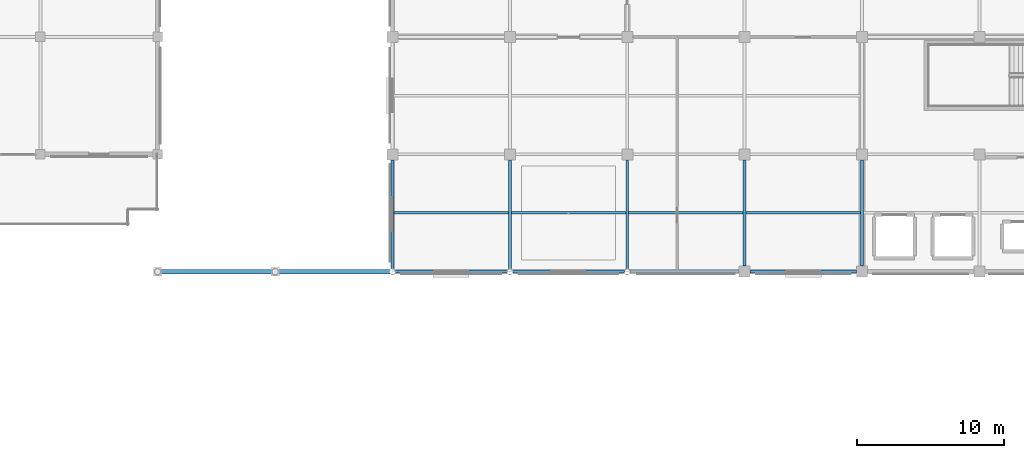
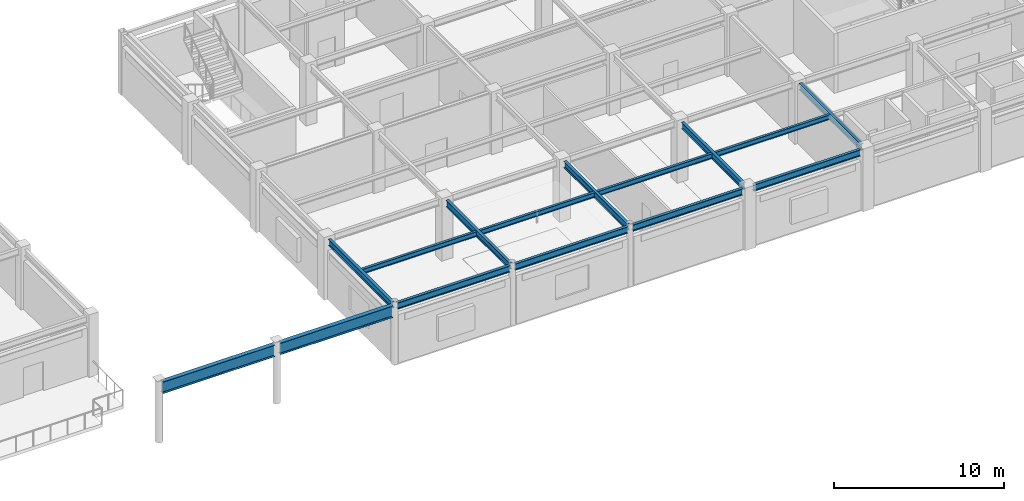
# One storey, part 52 of 78: 15 beams.
"""IFC4 building model written with IfcOpenShell, lengths in metres."""

from ifc_helpers import new_model, si_unit, direction, frame, origin, origin_2d, place, context, subcontext, project, spatial, i_section, extrude, material, material_profile, profile_set, type_object, element, save


model = new_model("IFC4")

# Units and contexts
model_context = context("Model", 3, precision=1e-05, world=origin(), true_north=direction((0.0, 1.0)))
body_context = subcontext(model_context, "Body", "Model", "MODEL_VIEW")
ifc_project = project(units=[si_unit("LENGTHUNIT", "METRE"), si_unit("AREAUNIT", "SQUARE_METRE"), si_unit("VOLUMEUNIT", "CUBIC_METRE"), si_unit("PLANEANGLEUNIT", "RADIAN"), si_unit("MASSUNIT", "GRAM", prefix="KILO")], contexts=[model_context])

# Site, building, storey
site_placement = place(None, origin())
site = spatial("IfcSite", under=ifc_project, at=site_placement, CompositionType="ELEMENT")
building_placement = place(site_placement, origin())
building = spatial("IfcBuilding", under=site, at=building_placement, Name="Solmirada Galleria", CompositionType="ELEMENT")
storey_placement = place(building_placement, frame((0.0, 0.0, 23.89990234375)))
storey = spatial("IfcBuildingStorey", under=building, at=storey_placement, Name="L05", CompositionType="ELEMENT", Elevation=23.89990234375)

# Beams
ifc_material = material(Name="Steel S355 / ASTM A992 Grade 50", Category="steel")
ifc_material_profile_1 = material_profile(ifc_material, i_section(OverallWidth=0.193115234375, OverallDepth=0.466064453125, WebThickness=0.011474609375, FlangeThickness=0.01904296875, FilletRadius=0.013916015625, at=origin_2d()), Name="W18X65")
ifc_profile_set_1 = profile_set([ifc_material_profile_1], Name="Steel S355 / ASTM A992 Grade 50")
beam_type_1 = type_object("IfcBeamType", Name="BM-GIRD-W18C", PredefinedType="BEAM", material=ifc_profile_set_1)
for number, where, z_axis, x_axis, name in (
    (1, (128.17041015625, 88.0, 4.067138671875), (1.0, 0.0, 0.0), (0.0, 1.0, 0.0), "Primary beam L06 X(128..136, 88)"),
    (2, (136.17041015625, 88.0, 4.067138671875), (1.0, 0.0, 0.0), (0.0, 1.0, 0.0), "Primary beam L06 X(136..144, 88)"),
):
    element("IfcBeam", number, at=place(storey_placement, frame(where, z_axis=z_axis, x_axis=x_axis)), inside=storey, type_object=beam_type_1, Name=name, PredefinedType="BEAM", context=body_context, shape_type="SweptSolid", body=[
        extrude(i_section(OverallWidth=0.193115234375, OverallDepth=0.466064453125, WebThickness=0.011474609375, FlangeThickness=0.01904296875, FilletRadius=0.013916015625, at=origin_2d()), origin(), (0.0, 0.0, 1.0), 7.6591796875),
    ])
beam_1_placement = place(storey_placement, frame((144.17041015625, 88.0, 4.067138671875), z_axis=(1.0, 0.0, 0.0), x_axis=(0.0, 1.0, 0.0)))
element("IfcBeam", 3, at=beam_1_placement, inside=storey, type_object=beam_type_1, Name="Primary beam L06 X(144..152, 88)", PredefinedType="BEAM", context=body_context, shape_type="SweptSolid", body=[
    extrude(i_section(OverallWidth=0.193115234375, OverallDepth=0.466064453125, WebThickness=0.011474609375, FlangeThickness=0.01904296875, FilletRadius=0.013916015625, at=origin_2d()), origin(), (0.0, 0.0, 1.0), 7.45458984375),
])
beam_2_placement = place(storey_placement, frame((152.375, 88.0, 4.067138671875), z_axis=(1.0, 0.0, 0.0), x_axis=(0.0, 1.0, 0.0)))
element("IfcBeam", 4, at=beam_2_placement, inside=storey, type_object=beam_type_1, Name="Primary beam L06 X(152..160, 88)", PredefinedType="BEAM", context=body_context, shape_type="SweptSolid", body=[
    extrude(i_section(OverallWidth=0.193115234375, OverallDepth=0.466064453125, WebThickness=0.011474609375, FlangeThickness=0.01904296875, FilletRadius=0.013916015625, at=origin_2d()), origin(), (0.0, 0.0, 1.0), 7.25),
])
for number, where, z_axis, x_axis, name in (
    (5, (128.0, 88.17041015625, 4.067138671875), (0.0, 1.0, 0.0), (-1.0, 0.0, 0.0), "Primary girder L06 Y(128, 88..96)"),
    (6, (136.0, 88.17041015625, 4.067138671875), (0.0, 1.0, 0.0), (-1.0, 0.0, 0.0), "Primary girder L06 Y(136, 88..96)"),
    (7, (144.0, 88.17041015625, 4.067138671875), (0.0, 1.0, 0.0), (-1.0, 0.0, 0.0), "Primary girder L06 Y(144, 88..96)"),
):
    element("IfcBeam", number, at=place(storey_placement, frame(where, z_axis=z_axis, x_axis=x_axis)), inside=storey, type_object=beam_type_1, Name=name, PredefinedType="BEAM", context=body_context, shape_type="SweptSolid", body=[
        extrude(i_section(OverallWidth=0.193115234375, OverallDepth=0.466064453125, WebThickness=0.011474609375, FlangeThickness=0.01904296875, FilletRadius=0.013916015625, at=origin_2d()), origin(), (0.0, 0.0, 1.0), 7.45458984375),
    ])
for number, where, z_axis, x_axis, name in (
    (8, (152.0, 88.375, 4.067138671875), (0.0, 1.0, 0.0), (-1.0, 0.0, 0.0), "Primary girder L06 Y(152, 88..96)"),
    (9, (160.0, 88.375, 4.067138671875), (0.0, 1.0, 0.0), (-1.0, 0.0, 0.0), "Primary girder L06 Y(160, 88..96)"),
):
    element("IfcBeam", number, at=place(storey_placement, frame(where, z_axis=z_axis, x_axis=x_axis)), inside=storey, type_object=beam_type_1, Name=name, PredefinedType="BEAM", context=body_context, shape_type="SweptSolid", body=[
        extrude(i_section(OverallWidth=0.193115234375, OverallDepth=0.466064453125, WebThickness=0.011474609375, FlangeThickness=0.01904296875, FilletRadius=0.013916015625, at=origin_2d()), origin(), (0.0, 0.0, 1.0), 7.25),
    ])
ifc_material_profile_2 = material_profile(ifc_material, i_section(OverallWidth=0.1708984375, OverallDepth=0.35205078125, WebThickness=0.0068359375, FlangeThickness=0.009765625, FilletRadius=0.010986328125, at=origin_2d()), Name="W14X30")
ifc_profile_set_2 = profile_set([ifc_material_profile_2], Name="Steel S355 / ASTM A992 Grade 50")
beam_type_2 = type_object("IfcBeamType", Name="BM-JST-W14B", PredefinedType="JOIST", material=ifc_profile_set_2)
for number, where, z_axis, x_axis, name in (
    (10, (128.096435546875, 92.0, 4.1240234375), (1.0, 0.0, 0.0), (0.0, 1.0, 0.0), "Composite floor joist L06 (128..136, 92.0)"),
    (11, (136.096435546875, 92.0, 4.1240234375), (1.0, 0.0, 0.0), (0.0, 1.0, 0.0), "Composite floor joist L06 (136..144, 92.0)"),
    (12, (144.096435546875, 92.0, 4.1240234375), (1.0, 0.0, 0.0), (0.0, 1.0, 0.0), "Composite floor joist L06 (144..152, 92.0)"),
    (13, (152.096435546875, 92.0, 4.1240234375), (1.0, 0.0, 0.0), (0.0, 1.0, 0.0), "Composite floor joist L06 (152..160, 92.0)"),
):
    element("IfcBeam", number, at=place(storey_placement, frame(where, z_axis=z_axis, x_axis=x_axis)), inside=storey, type_object=beam_type_2, Name=name, PredefinedType="JOIST", context=body_context, shape_type="SweptSolid", body=[
        extrude(i_section(OverallWidth=0.1708984375, OverallDepth=0.35205078125, WebThickness=0.0068359375, FlangeThickness=0.009765625, FilletRadius=0.010986328125, at=origin_2d()), origin(), (0.0, 0.0, 1.0), 7.80712890625),
    ])
ifc_material_profile_3 = material_profile(ifc_material, i_section(OverallWidth=0.2919921875, OverallDepth=0.841064453125, WebThickness=0.0146484375, FlangeThickness=0.021728515625, FilletRadius=0.01904296875, at=origin_2d()), Name="W33X130")
ifc_profile_set_3 = profile_set([ifc_material_profile_3], Name="Steel S355 / ASTM A992 Grade 50")
beam_type_3 = type_object("IfcBeamType", Name="BM-VAULT-RING3", PredefinedType="BEAM", material=ifc_profile_set_3)
beam_3_placement = place(storey_placement, frame((112.19189453125, 88.0, 3.819580078125), z_axis=(1.0, 0.0, 0.0), x_axis=(0.0, 1.0, 0.0)))
element("IfcBeam", 14, at=beam_3_placement, inside=storey, type_object=beam_type_3, Name="Barrel vault springing collector girder N X=112..120", PredefinedType="BEAM", context=body_context, shape_type="SweptSolid", body=[
    extrude(i_section(OverallWidth=0.2919921875, OverallDepth=0.841064453125, WebThickness=0.0146484375, FlangeThickness=0.021728515625, FilletRadius=0.01904296875, at=origin_2d()), origin(), (0.0, 0.0, 1.0), 7.6162109375),
])
beam_4_placement = place(storey_placement, frame((120.19189453125, 88.0, 3.819580078125), z_axis=(1.0, 0.0, 0.0), x_axis=(0.0, 1.0, 0.0)))
element("IfcBeam", 15, at=beam_4_placement, inside=storey, type_object=beam_type_3, Name="Barrel vault springing collector girder N X=120..128", PredefinedType="BEAM", context=body_context, shape_type="SweptSolid", body=[
    extrude(i_section(OverallWidth=0.2919921875, OverallDepth=0.841064453125, WebThickness=0.0146484375, FlangeThickness=0.021728515625, FilletRadius=0.01904296875, at=origin_2d()), origin(), (0.0, 0.0, 1.0), 7.6376953125),
])

save(model, "model.ifc")
